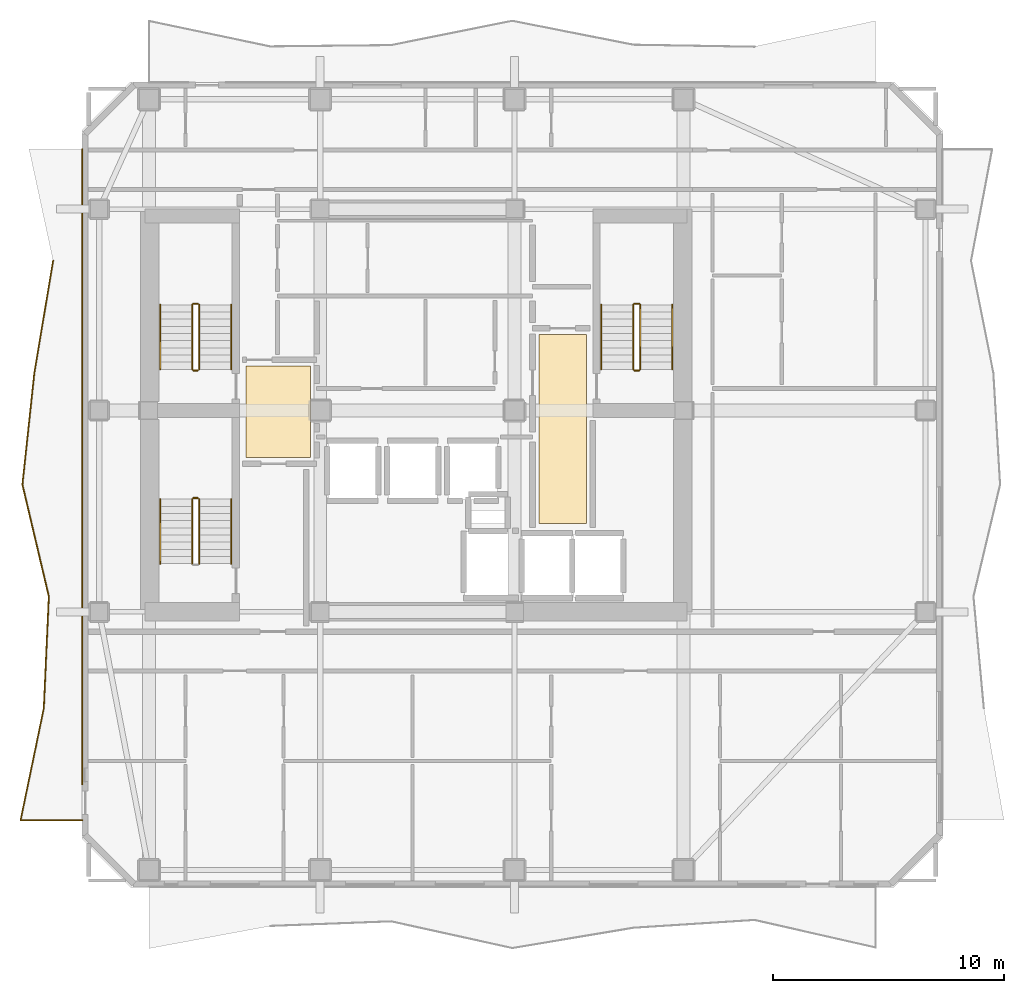
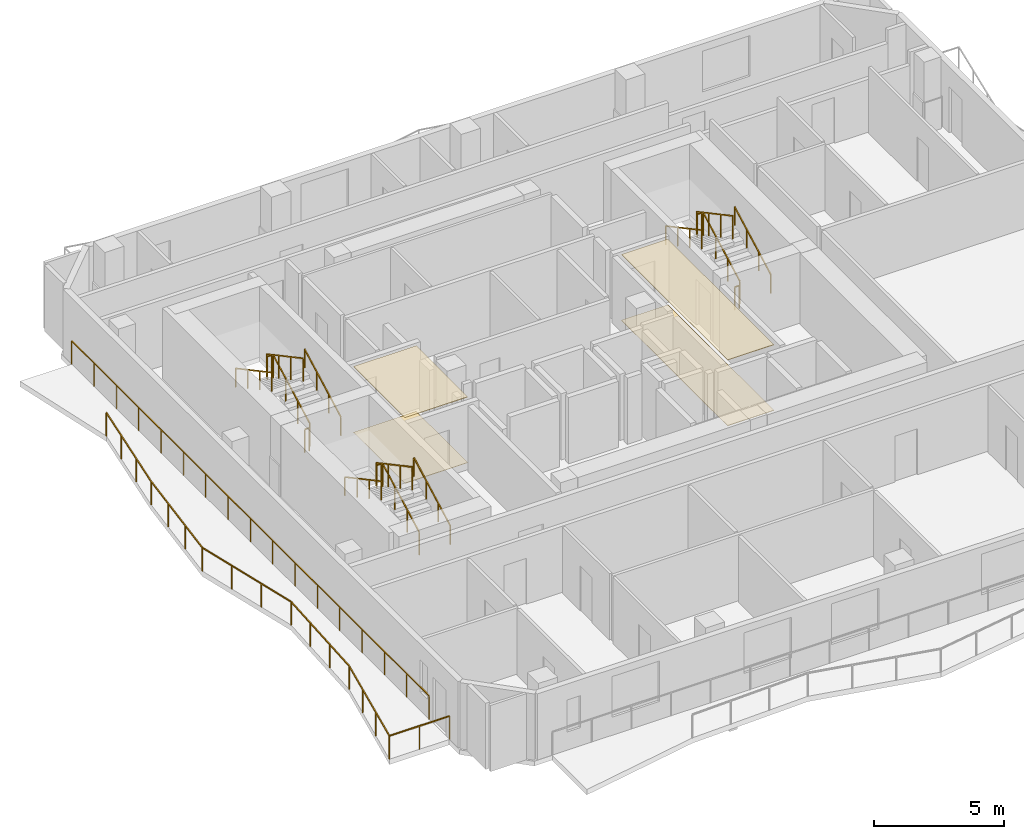
# One storey, part 8 of 9: 19 railings, 4 coverings.
"""IFC4 building model written with IfcOpenShell, lengths in metres."""

from ifc_helpers import new_model, si_unit, direction, frame, origin, origin_2d, place, context, subcontext, project, spatial, polyline, rectangle, outline, extrude, material, layer, layer_set, type_object, element, save


model = new_model("IFC4")

# Units and contexts
model_context = context("Model", 3, precision=1e-05, world=origin(), true_north=direction((0.0, 1.0)))
body_context = subcontext(model_context, "Body", "Model", "MODEL_VIEW")
ifc_project = project(units=[si_unit("LENGTHUNIT", "METRE"), si_unit("AREAUNIT", "SQUARE_METRE"), si_unit("VOLUMEUNIT", "CUBIC_METRE"), si_unit("PLANEANGLEUNIT", "RADIAN"), si_unit("MASSUNIT", "GRAM", prefix="KILO")], contexts=[model_context])

# Site, building, storey
site_placement = place(None, origin())
site = spatial("IfcSite", under=ifc_project, at=site_placement, CompositionType="ELEMENT")
building_placement = place(site_placement, origin())
building = spatial("IfcBuilding", under=site, at=building_placement, Name="Solanera Arch Residences", CompositionType="ELEMENT")
storey_placement = place(building_placement, frame((0.0, 0.0, 213.39990234375)))
storey = spatial("IfcBuildingStorey", under=building, at=storey_placement, Name="L62", CompositionType="ELEMENT", Elevation=213.39990234375)

# Railings
ifc_material_1 = material(Name="Steel S355 (ASTM A992 / A572 Grade 50)", Category="steel")
railing_type_1 = type_object("IfcRailingType", Name="Balustrade Railing BL-1100", PredefinedType="BALUSTRADE", material=ifc_material_1)
railing_1_placement = place(storey_placement, frame((9.260009765625, 37.1669921875, 0.0)))
element("IfcRailing", 1, at=railing_1_placement, inside=storey, type_object=railing_type_1, Name="L62 W Balcony Balustrade 1", PredefinedType="BALUSTRADE", context=body_context, shape_type="SweptSolid", body=[
    extrude(rectangle(XDim=0.048095703125, YDim=0.048095703125, at=origin_2d()), frame((0.0, 0.0, 1.09619140625), z_axis=(-0.165465070353, -0.986215651109, 0.0), x_axis=(0.986215651109, -0.165465070353, 0.0)), (0.0, 0.0, 1.0), 4.901611328125),
    extrude(rectangle(XDim=0.048095703125, YDim=0.048095703125, at=origin_2d()), frame((-0.81103515625, -4.833984375, 1.09619140625), z_axis=(-0.106384146857, -0.994325104429, 0.0), x_axis=(0.994325104429, -0.106384146857, 0.0)), (0.0, 0.0, 1.0), 4.860595703125),
    extrude(rectangle(XDim=0.048095703125, YDim=0.048095703125, at=origin_2d()), frame((-1.328125, -9.6669921875, 1.09619140625), z_axis=(0.230162585951, -0.973152189551, 0.0), x_axis=(0.973152189551, 0.230162585951, 0.0)), (0.0, 0.0, 1.0), 4.96630859375),
    extrude(rectangle(XDim=0.048095703125, YDim=0.048095703125, at=origin_2d()), frame((-0.18505859375, -14.5, 1.09619140625), z_axis=(-0.045055209953, -0.998984498406, 0.0), x_axis=(0.998984498406, -0.045055209953, 0.0)), (0.0, 0.0, 1.0), 4.8388671875),
    extrude(rectangle(XDim=0.048095703125, YDim=0.048095703125, at=origin_2d()), frame((-0.403076171875, -19.333984375, 1.09619140625), z_axis=(-0.203187826474, -0.97913977918, 0.0), x_axis=(0.97913977918, -0.203187826474, 0.0)), (0.0, 0.0, 1.0), 4.93603515625),
    extrude(rectangle(XDim=0.048095703125, YDim=0.048095703125, at=origin_2d()), frame((-1.406005859375, -24.1669921875, 1.09619140625), z_axis=(1.0, 0.0, 0.0), x_axis=(0.0, 1.0, 0.0)), (0.0, 0.0, 1.0), 2.666015625),
    extrude(rectangle(XDim=0.0419921875, YDim=0.0419921875, at=origin_2d()), origin(), (0.0, 0.0, 1.0), 1.072021484375),
    extrude(rectangle(XDim=0.0419921875, YDim=0.0419921875, at=origin_2d()), frame((-0.270263671875, -1.611328125, 0.0)), (0.0, 0.0, 1.0), 1.072021484375),
    extrude(rectangle(XDim=0.0419921875, YDim=0.0419921875, at=origin_2d()), frame((-0.540771484375, -3.22265625, 0.0)), (0.0, 0.0, 1.0), 1.072021484375),
    extrude(rectangle(XDim=0.0419921875, YDim=0.0419921875, at=origin_2d()), frame((-0.81103515625, -4.833984375, 0.0)), (0.0, 0.0, 1.0), 1.072021484375),
    extrude(rectangle(XDim=0.0419921875, YDim=0.0419921875, at=origin_2d()), frame((-0.9833984375, -6.445068359375, 0.0)), (0.0, 0.0, 1.0), 1.072021484375),
    extrude(rectangle(XDim=0.0419921875, YDim=0.0419921875, at=origin_2d()), frame((-1.15576171875, -8.055908203125, 0.0)), (0.0, 0.0, 1.0), 1.072021484375),
    extrude(rectangle(XDim=0.0419921875, YDim=0.0419921875, at=origin_2d()), frame((-1.328125, -9.6669921875, 0.0)), (0.0, 0.0, 1.0), 1.072021484375),
    extrude(rectangle(XDim=0.0419921875, YDim=0.0419921875, at=origin_2d()), frame((-0.947021484375, -11.278076171875, 0.0)), (0.0, 0.0, 1.0), 1.072021484375),
    extrude(rectangle(XDim=0.0419921875, YDim=0.0419921875, at=origin_2d()), frame((-0.566162109375, -12.888916015625, 0.0)), (0.0, 0.0, 1.0), 1.072021484375),
    extrude(rectangle(XDim=0.0419921875, YDim=0.0419921875, at=origin_2d()), frame((-0.18505859375, -14.5, 0.0)), (0.0, 0.0, 1.0), 1.072021484375),
    extrude(rectangle(XDim=0.0419921875, YDim=0.0419921875, at=origin_2d()), frame((-0.2578125, -16.111328125, 0.0)), (0.0, 0.0, 1.0), 1.072021484375),
    extrude(rectangle(XDim=0.0419921875, YDim=0.0419921875, at=origin_2d()), frame((-0.330322265625, -17.72265625, 0.0)), (0.0, 0.0, 1.0), 1.072021484375),
    extrude(rectangle(XDim=0.0419921875, YDim=0.0419921875, at=origin_2d()), frame((-0.403076171875, -19.333984375, 0.0)), (0.0, 0.0, 1.0), 1.072021484375),
    extrude(rectangle(XDim=0.0419921875, YDim=0.0419921875, at=origin_2d()), frame((-0.7373046875, -20.945068359375, 0.0)), (0.0, 0.0, 1.0), 1.072021484375),
    extrude(rectangle(XDim=0.0419921875, YDim=0.0419921875, at=origin_2d()), frame((-1.07177734375, -22.555908203125, 0.0)), (0.0, 0.0, 1.0), 1.072021484375),
    extrude(rectangle(XDim=0.0419921875, YDim=0.0419921875, at=origin_2d()), frame((-1.406005859375, -24.1669921875, 0.0)), (0.0, 0.0, 1.0), 1.072021484375),
    extrude(rectangle(XDim=0.0419921875, YDim=0.0419921875, at=origin_2d()), frame((-0.072998046875, -24.1669921875, 0.0)), (0.0, 0.0, 1.0), 1.072021484375),
    extrude(rectangle(XDim=0.0419921875, YDim=0.0419921875, at=origin_2d()), frame((1.260009765625, -24.1669921875, 0.0)), (0.0, 0.0, 1.0), 1.072021484375),
])
railing_2_placement = place(storey_placement, frame((10.52001953125, 14.554931640625, 0.0)))
element("IfcRailing", 2, at=railing_2_placement, inside=storey, type_object=railing_type_1, Name="L62 W Balcony Balustrade 2", PredefinedType="BALUSTRADE", context=body_context, shape_type="SweptSolid", body=[
    extrude(rectangle(XDim=0.048095703125, YDim=0.048095703125, at=origin_2d()), frame((0.0, 0.0, 1.09619140625), z_axis=(0.0, 1.0, 0.0), x_axis=(-1.0, 0.0, 0.0)), (0.0, 0.0, 1.0), 27.445068359375),
    extrude(rectangle(XDim=0.0419921875, YDim=0.0419921875, at=origin_2d()), origin(), (0.0, 0.0, 1.0), 1.072021484375),
    extrude(rectangle(XDim=0.0419921875, YDim=0.0419921875, at=origin_2d()), frame((0.0, 1.71533203125, 0.0)), (0.0, 0.0, 1.0), 1.072021484375),
    extrude(rectangle(XDim=0.0419921875, YDim=0.0419921875, at=origin_2d()), frame((0.0, 3.4306640625, 0.0)), (0.0, 0.0, 1.0), 1.072021484375),
    extrude(rectangle(XDim=0.0419921875, YDim=0.0419921875, at=origin_2d()), frame((0.0, 5.14599609375, 0.0)), (0.0, 0.0, 1.0), 1.072021484375),
    extrude(rectangle(XDim=0.0419921875, YDim=0.0419921875, at=origin_2d()), frame((0.0, 6.861328125, 0.0)), (0.0, 0.0, 1.0), 1.072021484375),
    extrude(rectangle(XDim=0.0419921875, YDim=0.0419921875, at=origin_2d()), frame((0.0, 8.57666015625, 0.0)), (0.0, 0.0, 1.0), 1.072021484375),
    extrude(rectangle(XDim=0.0419921875, YDim=0.0419921875, at=origin_2d()), frame((0.0, 10.2919921875, 0.0)), (0.0, 0.0, 1.0), 1.072021484375),
    extrude(rectangle(XDim=0.0419921875, YDim=0.0419921875, at=origin_2d()), frame((0.0, 12.00732421875, 0.0)), (0.0, 0.0, 1.0), 1.072021484375),
    extrude(rectangle(XDim=0.0419921875, YDim=0.0419921875, at=origin_2d()), frame((0.0, 13.72265625, 0.0)), (0.0, 0.0, 1.0), 1.072021484375),
    extrude(rectangle(XDim=0.0419921875, YDim=0.0419921875, at=origin_2d()), frame((0.0, 15.437744140625, 0.0)), (0.0, 0.0, 1.0), 1.072021484375),
    extrude(rectangle(XDim=0.0419921875, YDim=0.0419921875, at=origin_2d()), frame((0.0, 17.153076171875, 0.0)), (0.0, 0.0, 1.0), 1.072021484375),
    extrude(rectangle(XDim=0.0419921875, YDim=0.0419921875, at=origin_2d()), frame((0.0, 18.868408203125, 0.0)), (0.0, 0.0, 1.0), 1.072021484375),
    extrude(rectangle(XDim=0.0419921875, YDim=0.0419921875, at=origin_2d()), frame((0.0, 20.583740234375, 0.0)), (0.0, 0.0, 1.0), 1.072021484375),
    extrude(rectangle(XDim=0.0419921875, YDim=0.0419921875, at=origin_2d()), frame((0.0, 22.299072265625, 0.0)), (0.0, 0.0, 1.0), 1.072021484375),
    extrude(rectangle(XDim=0.0419921875, YDim=0.0419921875, at=origin_2d()), frame((0.0, 24.014404296875, 0.0)), (0.0, 0.0, 1.0), 1.072021484375),
    extrude(rectangle(XDim=0.0419921875, YDim=0.0419921875, at=origin_2d()), frame((0.0, 25.729736328125, 0.0)), (0.0, 0.0, 1.0), 1.072021484375),
    extrude(rectangle(XDim=0.0419921875, YDim=0.0419921875, at=origin_2d()), frame((0.0, 27.445068359375, 0.0)), (0.0, 0.0, 1.0), 1.072021484375),
])

# Coverings
ifc_material_2 = material(Name="Porcelain Acoustic Floor Tile", Category="ceramic")
ifc_layer_1 = layer(ifc_material_2, 0.02001953125)
ifc_layer_set_1 = layer_set([ifc_layer_1], Name="Porcelain Acoustic Floor Tile")
covering_type_1 = type_object("IfcCoveringType", Name="Porcelain Acoustic Floor Finish FLR-20", PredefinedType="FLOORING", material=ifc_layer_set_1)
covering_1_placement = place(storey_placement, origin())
element("IfcCovering", 3, at=covering_1_placement, inside=storey, type_object=covering_type_1, Name="L62-FFL-W Porcelain Floor Finish", PredefinedType="FLOORING", context=body_context, shape_type="SweptSolid", body=[
    extrude(outline(polyline([(20.375, 28.675048828125), (17.594970703125, 28.675048828125), (17.594970703125, 32.625), (20.375, 32.625), (20.375, 28.675048828125)])), origin(), (0.0, 0.0, 1.0), 0.02001953125),
])
covering_2_placement = place(storey_placement, origin())
element("IfcCovering", 4, at=covering_2_placement, inside=storey, type_object=covering_type_1, Name="L62-FFL-E Porcelain Floor Finish", PredefinedType="FLOORING", context=body_context, shape_type="SweptSolid", body=[
    extrude(outline(polyline([(32.304931640625, 25.824951171875), (30.25, 25.824951171875), (30.25, 33.97509765625), (32.304931640625, 33.97509765625), (32.304931640625, 25.824951171875)])), origin(), (0.0, 0.0, 1.0), 0.02001953125),
])

# Railings
ifc_material_3 = material(Name="Steel S355 (ASTM A992 / A572 Grade 50)", Category="steel")
railing_type_2 = type_object("IfcRailingType", Name="Stair Guardrail GR-1100", PredefinedType="GUARDRAIL", material=ifc_material_3)
railing_3_placement = place(storey_placement, frame((15.570068359375, 32.47998046875, 0.151123046875)))
element("IfcRailing", 5, at=railing_3_placement, inside=storey, type_object=railing_type_2, Name="L62 ST-T1 stair guard 1", PredefinedType="GUARDRAIL", context=body_context, shape_type="SweptSolid", body=[
    extrude(rectangle(XDim=0.048095703125, YDim=0.048095703125, at=origin_2d()), frame((0.0, 0.0, 1.076171875), z_axis=(0.0, 0.881580869306, 0.472033018838), x_axis=(-1.0, 0.0, 0.0)), (0.0, 0.0, 1.0), 3.164794921875),
    extrude(rectangle(XDim=0.0419921875, YDim=0.0419921875, at=origin_2d()), origin(), (0.0, 0.0, 1.0), 1.052001953125),
    extrude(rectangle(XDim=0.0419921875, YDim=0.0419921875, at=origin_2d()), frame((0.0, 0.929931640625, 0.498046875)), (0.0, 0.0, 1.0), 1.052001953125),
    extrude(rectangle(XDim=0.0419921875, YDim=0.0419921875, at=origin_2d()), frame((0.0, 1.860107421875, 0.995849609375)), (0.0, 0.0, 1.0), 1.052001953125),
    extrude(rectangle(XDim=0.0419921875, YDim=0.0419921875, at=origin_2d()), frame((0.0, 2.7900390625, 1.493896484375)), (0.0, 0.0, 1.0), 1.052001953125),
])
railing_4_placement = place(storey_placement, frame((15.52001953125, 35.320068359375, 1.64501953125)))
element("IfcRailing", 6, at=railing_4_placement, inside=storey, type_object=railing_type_2, Name="L62 ST-T1 stair guard 2", PredefinedType="GUARDRAIL", context=body_context, shape_type="SweptSolid", body=[
    extrude(rectangle(XDim=0.048095703125, YDim=0.048095703125, at=origin_2d()), frame((0.0, 0.0, 1.076171875), z_axis=(-1.0, 0.0, 0.0), x_axis=(0.0, -1.0, 0.0)), (0.0, 0.0, 1.0), 0.199951171875),
    extrude(rectangle(XDim=0.0419921875, YDim=0.0419921875, at=origin_2d()), origin(), (0.0, 0.0, 1.0), 1.052001953125),
    extrude(rectangle(XDim=0.0419921875, YDim=0.0419921875, at=origin_2d()), frame((-0.199951171875, 0.0, 0.0)), (0.0, 0.0, 1.0), 1.052001953125),
])
railing_5_placement = place(storey_placement, frame((15.27001953125, 35.27001953125, 1.81103515625)))
element("IfcRailing", 7, at=railing_5_placement, inside=storey, type_object=railing_type_2, Name="L62 ST-T1 stair guard 3", PredefinedType="GUARDRAIL", context=body_context, shape_type="SweptSolid", body=[
    extrude(rectangle(XDim=0.048095703125, YDim=0.048095703125, at=origin_2d()), frame((0.0, 0.0, 1.076171875), z_axis=(0.0, -0.881548766853, 0.472092969298), x_axis=(1.0, 0.0, 0.0)), (0.0, 0.0, 1.0), 3.1650390625),
    extrude(rectangle(XDim=0.0419921875, YDim=0.0419921875, at=origin_2d()), origin(), (0.0, 0.0, 1.0), 1.052001953125),
    extrude(rectangle(XDim=0.0419921875, YDim=0.0419921875, at=origin_2d()), frame((0.0, -0.929931640625, 0.498046875)), (0.0, 0.0, 1.0), 1.052001953125),
    extrude(rectangle(XDim=0.0419921875, YDim=0.0419921875, at=origin_2d()), frame((0.0, -1.860107421875, 0.99609375)), (0.0, 0.0, 1.0), 1.052001953125),
    extrude(rectangle(XDim=0.0419921875, YDim=0.0419921875, at=origin_2d()), frame((0.0, -2.7900390625, 1.494140625)), (0.0, 0.0, 1.0), 1.052001953125),
])
railing_6_placement = place(storey_placement, frame((15.52001953125, 32.429931640625, -0.014892578125)))
element("IfcRailing", 8, at=railing_6_placement, inside=storey, type_object=railing_type_2, Name="L62 ST-T1 stair guard 4", PredefinedType="GUARDRAIL", context=body_context, shape_type="SweptSolid", body=[
    extrude(rectangle(XDim=0.048095703125, YDim=0.048095703125, at=origin_2d()), frame((0.0, 0.0, 1.076171875), z_axis=(-1.0, 0.0, 0.0), x_axis=(0.0, -1.0, 0.0)), (0.0, 0.0, 1.0), 0.199951171875),
    extrude(rectangle(XDim=0.0419921875, YDim=0.0419921875, at=origin_2d()), origin(), (0.0, 0.0, 1.0), 1.052001953125),
    extrude(rectangle(XDim=0.0419921875, YDim=0.0419921875, at=origin_2d()), frame((-0.199951171875, 0.0, 0.0)), (0.0, 0.0, 1.0), 1.052001953125),
])
railing_7_placement = place(storey_placement, frame((34.6298828125, 32.47998046875, 0.151123046875)))
element("IfcRailing", 9, at=railing_7_placement, inside=storey, type_object=railing_type_2, Name="L62 ST-T2 stair guard 1", PredefinedType="GUARDRAIL", context=body_context, shape_type="SweptSolid", body=[
    extrude(rectangle(XDim=0.048095703125, YDim=0.048095703125, at=origin_2d()), frame((0.0, 0.0, 1.076171875), z_axis=(0.0, 0.881580869306, 0.472033018838), x_axis=(-1.0, 0.0, 0.0)), (0.0, 0.0, 1.0), 3.164794921875),
    extrude(rectangle(XDim=0.0419921875, YDim=0.0419921875, at=origin_2d()), origin(), (0.0, 0.0, 1.0), 1.052001953125),
    extrude(rectangle(XDim=0.0419921875, YDim=0.0419921875, at=origin_2d()), frame((0.0, 0.929931640625, 0.498046875)), (0.0, 0.0, 1.0), 1.052001953125),
    extrude(rectangle(XDim=0.0419921875, YDim=0.0419921875, at=origin_2d()), frame((0.0, 1.860107421875, 0.995849609375)), (0.0, 0.0, 1.0), 1.052001953125),
    extrude(rectangle(XDim=0.0419921875, YDim=0.0419921875, at=origin_2d()), frame((0.0, 2.7900390625, 1.493896484375)), (0.0, 0.0, 1.0), 1.052001953125),
])
railing_8_placement = place(storey_placement, frame((34.580078125, 35.320068359375, 1.64501953125)))
element("IfcRailing", 10, at=railing_8_placement, inside=storey, type_object=railing_type_2, Name="L62 ST-T2 stair guard 2", PredefinedType="GUARDRAIL", context=body_context, shape_type="SweptSolid", body=[
    extrude(rectangle(XDim=0.048095703125, YDim=0.048095703125, at=origin_2d()), frame((0.0, 0.0, 1.076171875), z_axis=(-1.0, 0.0, 0.0), x_axis=(0.0, -1.0, 0.0)), (0.0, 0.0, 1.0), 0.2001953125),
    extrude(rectangle(XDim=0.0419921875, YDim=0.0419921875, at=origin_2d()), origin(), (0.0, 0.0, 1.0), 1.052001953125),
    extrude(rectangle(XDim=0.0419921875, YDim=0.0419921875, at=origin_2d()), frame((-0.2001953125, 0.0, 0.0)), (0.0, 0.0, 1.0), 1.052001953125),
])
railing_9_placement = place(storey_placement, frame((34.330078125, 35.27001953125, 1.81103515625)))
element("IfcRailing", 11, at=railing_9_placement, inside=storey, type_object=railing_type_2, Name="L62 ST-T2 stair guard 3", PredefinedType="GUARDRAIL", context=body_context, shape_type="SweptSolid", body=[
    extrude(rectangle(XDim=0.048095703125, YDim=0.048095703125, at=origin_2d()), frame((0.0, 0.0, 1.076171875), z_axis=(0.0, -0.881548766853, 0.472092969298), x_axis=(1.0, 0.0, 0.0)), (0.0, 0.0, 1.0), 3.1650390625),
    extrude(rectangle(XDim=0.0419921875, YDim=0.0419921875, at=origin_2d()), origin(), (0.0, 0.0, 1.0), 1.052001953125),
    extrude(rectangle(XDim=0.0419921875, YDim=0.0419921875, at=origin_2d()), frame((0.0, -0.929931640625, 0.498046875)), (0.0, 0.0, 1.0), 1.052001953125),
    extrude(rectangle(XDim=0.0419921875, YDim=0.0419921875, at=origin_2d()), frame((0.0, -1.860107421875, 0.99609375)), (0.0, 0.0, 1.0), 1.052001953125),
    extrude(rectangle(XDim=0.0419921875, YDim=0.0419921875, at=origin_2d()), frame((0.0, -2.7900390625, 1.494140625)), (0.0, 0.0, 1.0), 1.052001953125),
])
railing_10_placement = place(storey_placement, frame((34.580078125, 32.429931640625, -0.014892578125)))
element("IfcRailing", 12, at=railing_10_placement, inside=storey, type_object=railing_type_2, Name="L62 ST-T2 stair guard 4", PredefinedType="GUARDRAIL", context=body_context, shape_type="SweptSolid", body=[
    extrude(rectangle(XDim=0.048095703125, YDim=0.048095703125, at=origin_2d()), frame((0.0, 0.0, 1.076171875), z_axis=(-1.0, 0.0, 0.0), x_axis=(0.0, -1.0, 0.0)), (0.0, 0.0, 1.0), 0.2001953125),
    extrude(rectangle(XDim=0.0419921875, YDim=0.0419921875, at=origin_2d()), origin(), (0.0, 0.0, 1.0), 1.052001953125),
    extrude(rectangle(XDim=0.0419921875, YDim=0.0419921875, at=origin_2d()), frame((-0.2001953125, 0.0, 0.0)), (0.0, 0.0, 1.0), 1.052001953125),
])
railing_11_placement = place(storey_placement, frame((15.570068359375, 24.080078125, 0.151123046875)))
element("IfcRailing", 13, at=railing_11_placement, inside=storey, type_object=railing_type_2, Name="L62 ST-T3 stair guard 1", PredefinedType="GUARDRAIL", context=body_context, shape_type="SweptSolid", body=[
    extrude(rectangle(XDim=0.048095703125, YDim=0.048095703125, at=origin_2d()), frame((0.0, 0.0, 1.076171875), z_axis=(0.0, 0.881580869306, 0.472033018838), x_axis=(-1.0, 0.0, 0.0)), (0.0, 0.0, 1.0), 3.164794921875),
    extrude(rectangle(XDim=0.0419921875, YDim=0.0419921875, at=origin_2d()), origin(), (0.0, 0.0, 1.0), 1.052001953125),
    extrude(rectangle(XDim=0.0419921875, YDim=0.0419921875, at=origin_2d()), frame((0.0, 0.929931640625, 0.498046875)), (0.0, 0.0, 1.0), 1.052001953125),
    extrude(rectangle(XDim=0.0419921875, YDim=0.0419921875, at=origin_2d()), frame((0.0, 1.860107421875, 0.995849609375)), (0.0, 0.0, 1.0), 1.052001953125),
    extrude(rectangle(XDim=0.0419921875, YDim=0.0419921875, at=origin_2d()), frame((0.0, 2.7900390625, 1.493896484375)), (0.0, 0.0, 1.0), 1.052001953125),
])
railing_12_placement = place(storey_placement, frame((15.52001953125, 26.919921875, 1.64501953125)))
element("IfcRailing", 14, at=railing_12_placement, inside=storey, type_object=railing_type_2, Name="L62 ST-T3 stair guard 2", PredefinedType="GUARDRAIL", context=body_context, shape_type="SweptSolid", body=[
    extrude(rectangle(XDim=0.048095703125, YDim=0.048095703125, at=origin_2d()), frame((0.0, 0.0, 1.076171875), z_axis=(-1.0, 0.0, 0.0), x_axis=(0.0, -1.0, 0.0)), (0.0, 0.0, 1.0), 0.199951171875),
    extrude(rectangle(XDim=0.0419921875, YDim=0.0419921875, at=origin_2d()), origin(), (0.0, 0.0, 1.0), 1.052001953125),
    extrude(rectangle(XDim=0.0419921875, YDim=0.0419921875, at=origin_2d()), frame((-0.199951171875, 0.0, 0.0)), (0.0, 0.0, 1.0), 1.052001953125),
])
railing_13_placement = place(storey_placement, frame((15.27001953125, 26.8701171875, 1.81103515625)))
element("IfcRailing", 15, at=railing_13_placement, inside=storey, type_object=railing_type_2, Name="L62 ST-T3 stair guard 3", PredefinedType="GUARDRAIL", context=body_context, shape_type="SweptSolid", body=[
    extrude(rectangle(XDim=0.048095703125, YDim=0.048095703125, at=origin_2d()), frame((0.0, 0.0, 1.076171875), z_axis=(0.0, -0.881548766853, 0.472092969298), x_axis=(1.0, 0.0, 0.0)), (0.0, 0.0, 1.0), 3.1650390625),
    extrude(rectangle(XDim=0.0419921875, YDim=0.0419921875, at=origin_2d()), origin(), (0.0, 0.0, 1.0), 1.052001953125),
    extrude(rectangle(XDim=0.0419921875, YDim=0.0419921875, at=origin_2d()), frame((0.0, -0.929931640625, 0.498046875)), (0.0, 0.0, 1.0), 1.052001953125),
    extrude(rectangle(XDim=0.0419921875, YDim=0.0419921875, at=origin_2d()), frame((0.0, -1.860107421875, 0.99609375)), (0.0, 0.0, 1.0), 1.052001953125),
    extrude(rectangle(XDim=0.0419921875, YDim=0.0419921875, at=origin_2d()), frame((0.0, -2.7900390625, 1.494140625)), (0.0, 0.0, 1.0), 1.052001953125),
])
ifc_material_4 = material(Name="Steel S355 (ASTM A992 / A572 Grade 50)", Category="steel")
railing_type_3 = type_object("IfcRailingType", Name="Stair Wall Handrail HR-920", PredefinedType="HANDRAIL", material=ifc_material_4)
railing_14_placement = place(storey_placement, frame((16.949951171875, 32.47998046875, 0.166015625)))
element("IfcRailing", 16, at=railing_14_placement, inside=storey, type_object=railing_type_3, Name="L62 ST-T1 stair handrail 1", PredefinedType="HANDRAIL", context=body_context, shape_type="SweptSolid", body=[
    extrude(rectangle(XDim=0.048095703125, YDim=0.048095703125, at=origin_2d()), frame((0.0, 0.0, 0.8759765625), z_axis=(0.0, 0.881548766853, 0.472092969298), x_axis=(-1.0, 0.0, 0.0)), (0.0, 0.0, 1.0), 3.1650390625),
    extrude(rectangle(XDim=0.0419921875, YDim=0.0419921875, at=origin_2d()), origin(), (0.0, 0.0, 1.0), 0.851806640625),
    extrude(rectangle(XDim=0.0419921875, YDim=0.0419921875, at=origin_2d()), frame((0.0, 0.929931640625, 0.498046875)), (0.0, 0.0, 1.0), 0.851806640625),
    extrude(rectangle(XDim=0.0419921875, YDim=0.0419921875, at=origin_2d()), frame((0.0, 1.860107421875, 0.99609375)), (0.0, 0.0, 1.0), 0.851806640625),
    extrude(rectangle(XDim=0.0419921875, YDim=0.0419921875, at=origin_2d()), frame((0.0, 2.7900390625, 1.494140625)), (0.0, 0.0, 1.0), 0.851806640625),
])
railing_15_placement = place(storey_placement, frame((13.889892578125, 35.27001953125, 1.826171875)))
element("IfcRailing", 17, at=railing_15_placement, inside=storey, type_object=railing_type_3, Name="L62 ST-T1 stair handrail 2", PredefinedType="HANDRAIL", context=body_context, shape_type="SweptSolid", body=[
    extrude(rectangle(XDim=0.048095703125, YDim=0.048095703125, at=origin_2d()), frame((0.0, 0.0, 0.8759765625), z_axis=(0.0, -0.881580869306, 0.472033018838), x_axis=(1.0, 0.0, 0.0)), (0.0, 0.0, 1.0), 3.164794921875),
    extrude(rectangle(XDim=0.0419921875, YDim=0.0419921875, at=origin_2d()), origin(), (0.0, 0.0, 1.0), 0.851806640625),
    extrude(rectangle(XDim=0.0419921875, YDim=0.0419921875, at=origin_2d()), frame((0.0, -0.929931640625, 0.498046875)), (0.0, 0.0, 1.0), 0.851806640625),
    extrude(rectangle(XDim=0.0419921875, YDim=0.0419921875, at=origin_2d()), frame((0.0, -1.860107421875, 0.995849609375)), (0.0, 0.0, 1.0), 0.851806640625),
    extrude(rectangle(XDim=0.0419921875, YDim=0.0419921875, at=origin_2d()), frame((0.0, -2.7900390625, 1.493896484375)), (0.0, 0.0, 1.0), 0.851806640625),
])
railing_16_placement = place(storey_placement, frame((36.010009765625, 32.47998046875, 0.166015625)))
element("IfcRailing", 18, at=railing_16_placement, inside=storey, type_object=railing_type_3, Name="L62 ST-T2 stair handrail 1", PredefinedType="HANDRAIL", context=body_context, shape_type="SweptSolid", body=[
    extrude(rectangle(XDim=0.048095703125, YDim=0.048095703125, at=origin_2d()), frame((0.0, 0.0, 0.8759765625), z_axis=(0.0, 0.881548766853, 0.472092969298), x_axis=(-1.0, 0.0, 0.0)), (0.0, 0.0, 1.0), 3.1650390625),
    extrude(rectangle(XDim=0.0419921875, YDim=0.0419921875, at=origin_2d()), origin(), (0.0, 0.0, 1.0), 0.851806640625),
    extrude(rectangle(XDim=0.0419921875, YDim=0.0419921875, at=origin_2d()), frame((0.0, 0.929931640625, 0.498046875)), (0.0, 0.0, 1.0), 0.851806640625),
    extrude(rectangle(XDim=0.0419921875, YDim=0.0419921875, at=origin_2d()), frame((0.0, 1.860107421875, 0.99609375)), (0.0, 0.0, 1.0), 0.851806640625),
    extrude(rectangle(XDim=0.0419921875, YDim=0.0419921875, at=origin_2d()), frame((0.0, 2.7900390625, 1.494140625)), (0.0, 0.0, 1.0), 0.851806640625),
])
railing_17_placement = place(storey_placement, frame((32.949951171875, 35.27001953125, 1.826171875)))
element("IfcRailing", 19, at=railing_17_placement, inside=storey, type_object=railing_type_3, Name="L62 ST-T2 stair handrail 2", PredefinedType="HANDRAIL", context=body_context, shape_type="SweptSolid", body=[
    extrude(rectangle(XDim=0.048095703125, YDim=0.048095703125, at=origin_2d()), frame((0.0, 0.0, 0.8759765625), z_axis=(0.0, -0.881580869306, 0.472033018838), x_axis=(1.0, 0.0, 0.0)), (0.0, 0.0, 1.0), 3.164794921875),
    extrude(rectangle(XDim=0.0419921875, YDim=0.0419921875, at=origin_2d()), origin(), (0.0, 0.0, 1.0), 0.851806640625),
    extrude(rectangle(XDim=0.0419921875, YDim=0.0419921875, at=origin_2d()), frame((0.0, -0.929931640625, 0.498046875)), (0.0, 0.0, 1.0), 0.851806640625),
    extrude(rectangle(XDim=0.0419921875, YDim=0.0419921875, at=origin_2d()), frame((0.0, -1.860107421875, 0.995849609375)), (0.0, 0.0, 1.0), 0.851806640625),
    extrude(rectangle(XDim=0.0419921875, YDim=0.0419921875, at=origin_2d()), frame((0.0, -2.7900390625, 1.493896484375)), (0.0, 0.0, 1.0), 0.851806640625),
])
railing_18_placement = place(storey_placement, frame((16.949951171875, 24.080078125, 0.166015625)))
element("IfcRailing", 20, at=railing_18_placement, inside=storey, type_object=railing_type_3, Name="L62 ST-T3 stair handrail 1", PredefinedType="HANDRAIL", context=body_context, shape_type="SweptSolid", body=[
    extrude(rectangle(XDim=0.048095703125, YDim=0.048095703125, at=origin_2d()), frame((0.0, 0.0, 0.8759765625), z_axis=(0.0, 0.881548766853, 0.472092969298), x_axis=(-1.0, 0.0, 0.0)), (0.0, 0.0, 1.0), 3.1650390625),
    extrude(rectangle(XDim=0.0419921875, YDim=0.0419921875, at=origin_2d()), origin(), (0.0, 0.0, 1.0), 0.851806640625),
    extrude(rectangle(XDim=0.0419921875, YDim=0.0419921875, at=origin_2d()), frame((0.0, 0.929931640625, 0.498046875)), (0.0, 0.0, 1.0), 0.851806640625),
    extrude(rectangle(XDim=0.0419921875, YDim=0.0419921875, at=origin_2d()), frame((0.0, 1.860107421875, 0.99609375)), (0.0, 0.0, 1.0), 0.851806640625),
    extrude(rectangle(XDim=0.0419921875, YDim=0.0419921875, at=origin_2d()), frame((0.0, 2.7900390625, 1.494140625)), (0.0, 0.0, 1.0), 0.851806640625),
])
railing_19_placement = place(storey_placement, frame((13.889892578125, 26.8701171875, 1.826171875)))
element("IfcRailing", 21, at=railing_19_placement, inside=storey, type_object=railing_type_3, Name="L62 ST-T3 stair handrail 2", PredefinedType="HANDRAIL", context=body_context, shape_type="SweptSolid", body=[
    extrude(rectangle(XDim=0.048095703125, YDim=0.048095703125, at=origin_2d()), frame((0.0, 0.0, 0.8759765625), z_axis=(0.0, -0.881580869306, 0.472033018838), x_axis=(1.0, 0.0, 0.0)), (0.0, 0.0, 1.0), 3.164794921875),
    extrude(rectangle(XDim=0.0419921875, YDim=0.0419921875, at=origin_2d()), origin(), (0.0, 0.0, 1.0), 0.851806640625),
    extrude(rectangle(XDim=0.0419921875, YDim=0.0419921875, at=origin_2d()), frame((0.0, -0.929931640625, 0.498046875)), (0.0, 0.0, 1.0), 0.851806640625),
    extrude(rectangle(XDim=0.0419921875, YDim=0.0419921875, at=origin_2d()), frame((0.0, -1.860107421875, 0.995849609375)), (0.0, 0.0, 1.0), 0.851806640625),
    extrude(rectangle(XDim=0.0419921875, YDim=0.0419921875, at=origin_2d()), frame((0.0, -2.7900390625, 1.493896484375)), (0.0, 0.0, 1.0), 0.851806640625),
])

# Coverings
ifc_material_5 = material(Name="Mineral Fibre Acoustic Ceiling Board", Category="gypsum")
ifc_layer_2 = layer(ifc_material_5, 0.02490234375)
ifc_layer_set_2 = layer_set([ifc_layer_2], Name="Mineral Fibre Acoustic Ceiling Board")
covering_type_2 = type_object("IfcCoveringType", Name="Suspended Acoustic Ceiling Board CLG-25", PredefinedType="CEILING", material=ifc_layer_set_2)
covering_3_placement = place(storey_placement, frame((0.0, 0.0, 3.0751953125)))
element("IfcCovering", 22, at=covering_3_placement, inside=storey, type_object=covering_type_2, Name="L62-FFL-W Acoustic Ceiling", PredefinedType="CEILING", context=body_context, shape_type="SweptSolid", body=[
    extrude(outline(polyline([(20.375, 28.675048828125), (17.594970703125, 28.675048828125), (17.594970703125, 32.625), (20.375, 32.625), (20.375, 28.675048828125)])), origin(), (0.0, 0.0, 1.0), 0.02490234375),
])
covering_4_placement = place(storey_placement, frame((0.0, 0.0, 3.0751953125)))
element("IfcCovering", 23, at=covering_4_placement, inside=storey, type_object=covering_type_2, Name="L62-FFL-E Acoustic Ceiling", PredefinedType="CEILING", context=body_context, shape_type="SweptSolid", body=[
    extrude(outline(polyline([(32.304931640625, 25.824951171875), (30.25, 25.824951171875), (30.25, 33.97509765625), (32.304931640625, 33.97509765625), (32.304931640625, 25.824951171875)])), origin(), (0.0, 0.0, 1.0), 0.02490234375),
])

save(model, "model.ifc")
